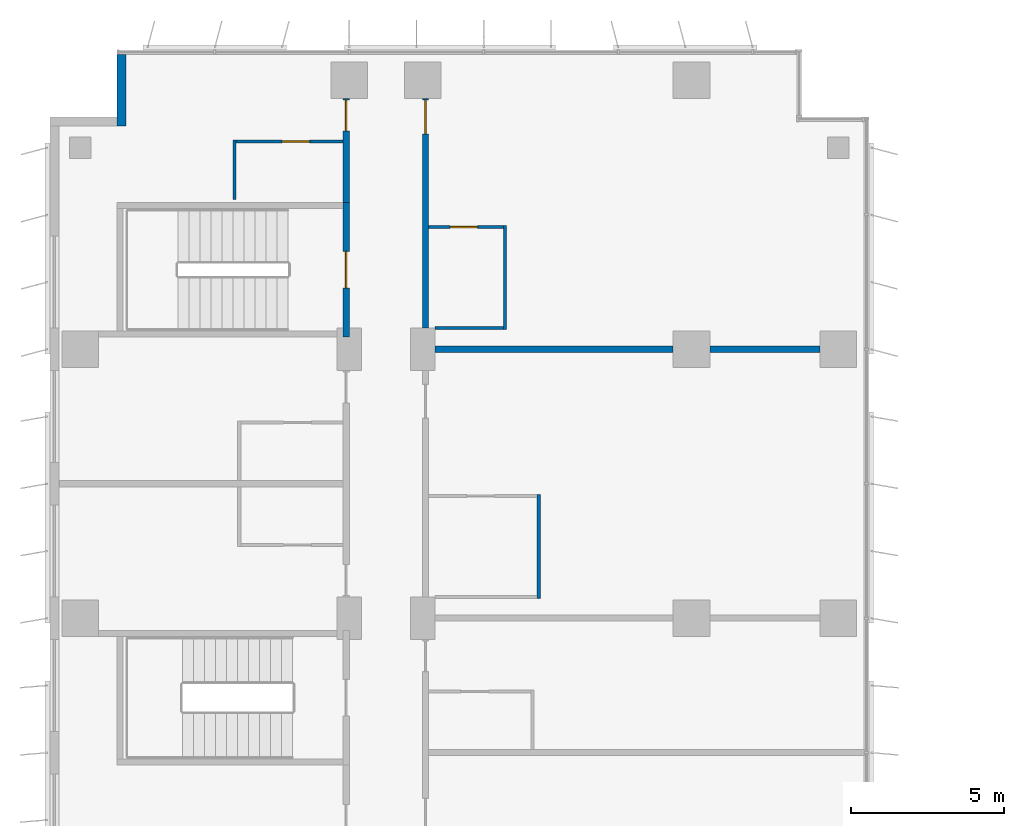
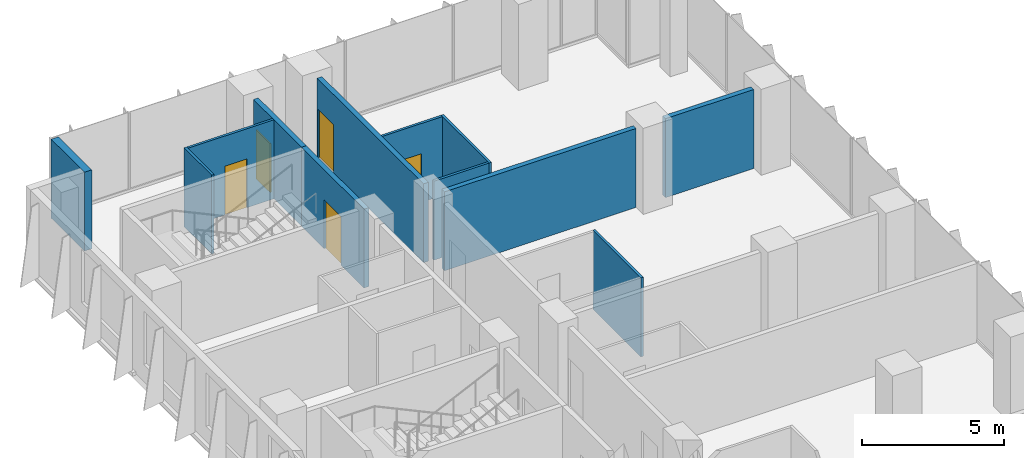
# One storey, part 17 of 22: 12 walls, 5 doors, 5 openings.
"""IFC4 building model written with IfcOpenShell, lengths in metres."""

from ifc_helpers import new_model, si_unit, direction, frame, frame_2d, origin, place, context, subcontext, project, spatial, rectangle, extrude, material, layer, layer_set, type_object, element, fill, save


model = new_model("IFC4")

# Units and contexts
model_context = context("Model", 3, precision=1e-05, world=origin(), true_north=direction((0.0, 1.0)))
body_context = subcontext(model_context, "Body", "Model", "MODEL_VIEW")
ifc_project = project(units=[si_unit("LENGTHUNIT", "METRE"), si_unit("AREAUNIT", "SQUARE_METRE"), si_unit("VOLUMEUNIT", "CUBIC_METRE"), si_unit("PLANEANGLEUNIT", "RADIAN"), si_unit("MASSUNIT", "GRAM", prefix="KILO")], contexts=[model_context])

# Site, building, storey
site_placement = place(None, origin())
site = spatial("IfcSite", under=ifc_project, at=site_placement, CompositionType="ELEMENT")
building_placement = place(site_placement, origin())
building = spatial("IfcBuilding", under=site, at=building_placement, Name="Kemantara Hotel Tower", CompositionType="ELEMENT")
storey_placement = place(building_placement, frame((0.0, 0.0, 107.39990234375)))
storey = spatial("IfcBuildingStorey", under=building, at=storey_placement, Name="L25", CompositionType="ELEMENT", Elevation=107.39990234375)

# Wall
ifc_material_1 = material(Name="Bronze anodised aluminium cladding on insulated steel stud wall", Category="steel")
ifc_layer_1 = layer(ifc_material_1, 0.300048828125)
ifc_layer_set_1 = layer_set([ifc_layer_1], Name="Bronze anodised aluminium cladding on insulated steel stud wall")
wall_type_1 = type_object("IfcWallType", Name="BRONZE METAL-CLAD EXTERNAL WALL 300", PredefinedType="STANDARD", material=ifc_layer_set_1)
wall_1_placement = place(storey_placement, frame((2.35009765625, 81.050048828125, 0.0), z_axis=(0.0, 0.0, 1.0), x_axis=(0.0, -1.0, 0.0)))
element("IfcWall", 1, at=wall_1_placement, inside=storey, type_object=wall_type_1, Name="EXTERNAL WALL L25 T2-R02", PredefinedType="STANDARD", context=body_context, shape_type="SweptSolid", body=[
    extrude(rectangle(XDim=2.35009765625, YDim=0.300048828125, at=frame_2d((1.175048828125, 0.0))), origin(), (0.0, 0.0, 1.0), 3.400146484375),
])

# Wall, opening, door
ifc_material_2 = material(Name="Gypsum board partition, steel studs and mineral wool, 200 mm", Category="steel")
ifc_layer_2 = layer(ifc_material_2, 0.199951171875)
ifc_layer_set_2 = layer_set([ifc_layer_2], Name="Gypsum board partition, steel studs and mineral wool, 200 mm")
wall_type_2 = type_object("IfcWallType", Name="CORRIDOR WALL 200", PredefinedType="PARTITIONING", material=ifc_layer_set_2)
wall_2_placement = place(storey_placement, frame((9.699951171875, 76.199951171875, 0.0), z_axis=(0.0, 0.0, 1.0), x_axis=(0.0, 1.0, 0.0)))
wall_2 = element("IfcWall", 2, at=wall_2_placement, inside=storey, type_object=wall_type_2, Name="CORRIDOR WALL 200 024", PredefinedType="PARTITIONING", context=body_context, shape_type="SweptSolid", body=[
    extrude(rectangle(XDim=3.39990234375, YDim=0.199951171875, at=frame_2d((1.699951171875, 0.0))), origin(), (0.0, 0.0, 1.0), 3.400146484375),
])
opening_1_placement = place(wall_2_placement, frame((2.35009765625, 0.0, 0.0)))
opening_1 = element("IfcOpeningElement", 3, at=opening_1_placement, cuts=wall_2, Name="Opening F11-035", PredefinedType="OPENING", context=body_context, shape_type="SweptSolid", body=[
    extrude(rectangle(XDim=1.0, YDim=2.10009765625, at=frame_2d((0.5, 1.050048828125))), frame((0.0, 0.10986328125, 0.0), z_axis=(0.0, -1.0, 0.0), x_axis=(1.0, 0.0, 0.0)), (0.0, 0.0, 1.0), 0.219970703125),
])
ifc_material_3 = material(Name="Hardwood veneer door leaf with steel frame", Category="steel")
door_type_1 = type_object("IfcDoorType", Name="GUEST ROOM DOOR 1000 X 2100 FD30S", OperationType="NOTDEFINED", PredefinedType="DOOR", material=ifc_material_3)
door_1_placement = place(opening_1_placement, origin())
door_1 = element("IfcDoor", 4, at=door_1_placement, inside=storey, type_object=door_type_1, Name="GUEST ROOM DOOR F11-035", OperationType="SINGLE_SWING_RIGHT", OverallHeight=2.10009765625, OverallWidth=1.0, PredefinedType="DOOR", context=body_context, shape_type="SweptSolid", body=[
    extrude(rectangle(XDim=1.0, YDim=2.10009765625, at=frame_2d((0.5, 1.050048828125))), frame((0.0, 0.02490234375, 0.0), z_axis=(0.0, -1.0, 0.0), x_axis=(1.0, 0.0, 0.0)), (0.0, 0.0, 1.0), 0.050048828125),
])
fill(opening_1, door_1)

wall_3_placement = place(storey_placement, frame((12.300048828125, 79.599853515625, 0.0), z_axis=(0.0, 0.0, 1.0), x_axis=(0.0, -1.0, 0.0)))
wall_3 = element("IfcWall", 5, at=wall_3_placement, inside=storey, type_object=wall_type_2, Name="CORRIDOR WALL 200 039", PredefinedType="PARTITIONING", context=body_context, shape_type="SweptSolid", body=[
    extrude(rectangle(XDim=7.499755859375, YDim=0.199951171875, at=frame_2d((3.75, 0.0))), origin(), (0.0, 0.0, 1.0), 3.400146484375),
])
opening_2_placement = place(wall_3_placement, frame((0.0498046875, 0.0, 0.0)))
opening_2 = element("IfcOpeningElement", 6, at=opening_2_placement, cuts=wall_3, Name="Opening F11-051", PredefinedType="OPENING", context=body_context, shape_type="SweptSolid", body=[
    extrude(rectangle(XDim=1.10009765625, YDim=2.10009765625, at=frame_2d((0.550048828125, 1.050048828125))), frame((0.0, 0.10986328125, 0.0), z_axis=(0.0, -1.0, 0.0), x_axis=(1.0, 0.0, 0.0)), (0.0, 0.0, 1.0), 0.219970703125),
])
door_type_2 = type_object("IfcDoorType", Name="SUITE ENTRANCE DOOR 1100 X 2100 FD30S", OperationType="NOTDEFINED", PredefinedType="DOOR", material=ifc_material_3)
door_2_placement = place(opening_2_placement, origin())
door_2 = element("IfcDoor", 7, at=door_2_placement, inside=storey, type_object=door_type_2, Name="SUITE ENTRANCE DOOR F11-051", OperationType="SINGLE_SWING_LEFT", OverallHeight=2.10009765625, OverallWidth=1.10009765625, PredefinedType="DOOR", context=body_context, shape_type="SweptSolid", body=[
    extrude(rectangle(XDim=1.10009765625, YDim=2.10009765625, at=frame_2d((0.550048828125, 1.050048828125))), frame((0.0, 0.02490234375, 0.0), z_axis=(0.0, -1.0, 0.0), x_axis=(1.0, 0.0, 0.0)), (0.0, 0.0, 1.0), 0.050048828125),
])
fill(opening_2, door_2)

ifc_material_4 = material(Name="Concrete fc 40 MPa", Category="concrete")
ifc_layer_3 = layer(ifc_material_4, 0.199951171875)
ifc_layer_set_3 = layer_set([ifc_layer_3], Name="Concrete fc 40 MPa")
wall_type_3 = type_object("IfcWallType", Name="Concrete stair wall 200 mm", PredefinedType="SHEAR", material=ifc_layer_set_3)
wall_4_placement = place(storey_placement, frame((9.699951171875, 71.800048828125, 0.0), z_axis=(0.0, 0.0, 1.0), x_axis=(0.0, 1.0, 0.0)))
wall_4 = element("IfcWall", 8, at=wall_4_placement, inside=storey, type_object=wall_type_3, Name="Stair ST6 enclosure wall with door", PredefinedType="SHEAR", context=body_context, shape_type="SweptSolid", body=[
    extrude(rectangle(XDim=4.39990234375, YDim=0.199951171875, at=frame_2d((2.199951171875, 0.0))), origin(), (0.0, 0.0, 1.0), 3.400146484375),
])
opening_3_placement = place(wall_4_placement, frame((1.60009765625, 0.0, 0.0)))
opening_3 = element("IfcOpeningElement", 9, at=opening_3_placement, cuts=wall_4, Name="Opening ST6-C", PredefinedType="OPENING", context=body_context, shape_type="SweptSolid", body=[
    extrude(rectangle(XDim=1.199951171875, YDim=2.10009765625, at=frame_2d((0.60009765625, 1.050048828125))), frame((0.0, 0.10986328125, 0.0), z_axis=(0.0, -1.0, 0.0), x_axis=(1.0, 0.0, 0.0)), (0.0, 0.0, 1.0), 0.219970703125),
])
ifc_material_5 = material(Name="Steel fire door", Category="steel")
door_type_3 = type_object("IfcDoorType", Name="Fire door FD90 1200 x 2100", OperationType="NOTDEFINED", PredefinedType="DOOR", material=ifc_material_5)
door_3_placement = place(opening_3_placement, origin())
door_3 = element("IfcDoor", 10, at=door_3_placement, inside=storey, type_object=door_type_3, Name="Stair ST6 door", OperationType="SINGLE_SWING_RIGHT", OverallHeight=2.10009765625, OverallWidth=1.199951171875, PredefinedType="DOOR", context=body_context, shape_type="SweptSolid", body=[
    extrude(rectangle(XDim=1.199951171875, YDim=2.10009765625, at=frame_2d((0.60009765625, 1.050048828125))), frame((0.0, 0.02490234375, 0.0), z_axis=(0.0, -1.0, 0.0), x_axis=(1.0, 0.0, 0.0)), (0.0, 0.0, 1.0), 0.050048828125),
])
fill(opening_3, door_3)

# Walls
ifc_layer_4 = layer(ifc_material_2, 0.199951171875)
ifc_layer_set_4 = layer_set([ifc_layer_4], Name="Gypsum board partition, steel studs and mineral wool, 200 mm")
wall_type_4 = type_object("IfcWallType", Name="GUEST ROOM PARTY WALL 200", PredefinedType="PARTITIONING", material=ifc_layer_set_4)
wall_5_placement = place(storey_placement, frame((12.60009765625, 71.39990234375, 0.0), z_axis=(0.0, 0.0, 1.0), x_axis=(1.0, 0.0, 0.0)))
element("IfcWall", 11, at=wall_5_placement, inside=storey, type_object=wall_type_4, Name="GUEST ROOM PARTY WALL 200 048", PredefinedType="PARTITIONING", context=body_context, shape_type="SweptSolid", body=[
    extrude(rectangle(XDim=7.7998046875, YDim=0.199951171875, at=frame_2d((3.89990234375, 0.0))), origin(), (0.0, 0.0, 1.0), 3.400146484375),
])
wall_6_placement = place(storey_placement, frame((21.60009765625, 71.39990234375, 0.0), z_axis=(0.0, 0.0, 1.0), x_axis=(1.0, 0.0, 0.0)))
element("IfcWall", 12, at=wall_6_placement, inside=storey, type_object=wall_type_4, Name="GUEST ROOM PARTY WALL 200 049", PredefinedType="PARTITIONING", context=body_context, shape_type="SweptSolid", body=[
    extrude(rectangle(XDim=3.599853515625, YDim=0.199951171875, at=frame_2d((1.7998046875, 0.0))), origin(), (0.0, 0.0, 1.0), 3.400146484375),
])
ifc_material_6 = material(Name="Gypsum board partition on steel studs, 100 mm", Category="steel")
ifc_layer_5 = layer(ifc_material_6, 0.10009765625)
ifc_layer_set_5 = layer_set([ifc_layer_5], Name="Gypsum board partition on steel studs, 100 mm")
wall_type_5 = type_object("IfcWallType", Name="ROOM PARTITION 100", PredefinedType="PARTITIONING", material=ifc_layer_set_5)
wall_7_placement = place(storey_placement, frame((6.050048828125, 76.300048828125, 0.0), z_axis=(0.0, 0.0, 1.0), x_axis=(0.0, 1.0, 0.0)))
element("IfcWall", 13, at=wall_7_placement, inside=storey, type_object=wall_type_5, Name="ROOM PARTITION 100 067", PredefinedType="PARTITIONING", context=body_context, shape_type="SweptSolid", body=[
    extrude(rectangle(XDim=1.949951171875, YDim=0.10009765625, at=frame_2d((0.97509765625, 0.0))), origin(), (0.0, 0.0, 1.0), 3.400146484375),
])

# Wall, opening, door
wall_8_placement = place(storey_placement, frame((9.60009765625, 78.199951171875, 0.0), z_axis=(0.0, 0.0, 1.0), x_axis=(-1.0, 0.0, 0.0)))
wall_8 = element("IfcWall", 14, at=wall_8_placement, inside=storey, type_object=wall_type_5, Name="ROOM PARTITION 100 087", PredefinedType="PARTITIONING", context=body_context, shape_type="SweptSolid", body=[
    extrude(rectangle(XDim=3.5, YDim=0.10009765625, at=frame_2d((1.75, 0.0))), origin(), (0.0, 0.0, 1.0), 3.400146484375),
])
opening_4_placement = place(wall_8_placement, frame((1.10009765625, 0.0, 0.0)))
opening_4 = element("IfcOpeningElement", 15, at=opening_4_placement, cuts=wall_8, Name="Opening F11-036", PredefinedType="OPENING", context=body_context, shape_type="SweptSolid", body=[
    extrude(rectangle(XDim=0.89990234375, YDim=2.10009765625, at=frame_2d((0.449951171875, 1.050048828125))), frame((0.0, 0.06005859375, 0.0), z_axis=(0.0, -1.0, 0.0), x_axis=(1.0, 0.0, 0.0)), (0.0, 0.0, 1.0), 0.1201171875),
])
door_type_4 = type_object("IfcDoorType", Name="BATHROOM DOOR 900 X 2100", OperationType="NOTDEFINED", PredefinedType="DOOR", material=ifc_material_3)
door_4_placement = place(opening_4_placement, origin())
door_4 = element("IfcDoor", 16, at=door_4_placement, inside=storey, type_object=door_type_4, Name="BATHROOM DOOR F11-036", OperationType="SINGLE_SWING_LEFT", OverallHeight=2.10009765625, OverallWidth=0.89990234375, PredefinedType="DOOR", context=body_context, shape_type="SweptSolid", body=[
    extrude(rectangle(XDim=0.89990234375, YDim=2.10009765625, at=frame_2d((0.449951171875, 1.050048828125))), frame((0.0, 0.02490234375, 0.0), z_axis=(0.0, -1.0, 0.0), x_axis=(1.0, 0.0, 0.0)), (0.0, 0.0, 1.0), 0.050048828125),
])
fill(opening_4, door_4)

# Walls
for number, where, z_axis, x_axis, name in (
    (17, (16.0, 63.25, 0.0), (0.0, 0.0, 1.0), (0.0, 1.0, 0.0), "ROOM PARTITION 100 091"),
    (18, (14.89990234375, 72.050048828125, 0.0), (0.0, 0.0, 1.0), (0.0, 1.0, 0.0), "ROOM PARTITION 100 102"),
):
    element("IfcWall", number, at=place(storey_placement, frame(where, z_axis=z_axis, x_axis=x_axis)), inside=storey, type_object=wall_type_5, Name=name, PredefinedType="PARTITIONING", context=body_context, shape_type="SweptSolid", body=[
        extrude(rectangle(XDim=3.39990234375, YDim=0.10009765625, at=frame_2d((1.699951171875, 0.0))), origin(), (0.0, 0.0, 1.0), 3.400146484375),
    ])
wall_9_placement = place(storey_placement, frame((12.60009765625, 72.10009765625, 0.0), z_axis=(0.0, 0.0, 1.0), x_axis=(1.0, 0.0, 0.0)))
element("IfcWall", 19, at=wall_9_placement, inside=storey, type_object=wall_type_5, Name="ROOM PARTITION 100 103", PredefinedType="PARTITIONING", context=body_context, shape_type="SweptSolid", body=[
    extrude(rectangle(XDim=2.25, YDim=0.10009765625, at=frame_2d((1.125, 0.0))), origin(), (0.0, 0.0, 1.0), 3.400146484375),
])

# Wall, opening, door
wall_10_placement = place(storey_placement, frame((14.85009765625, 75.39990234375, 0.0), z_axis=(0.0, 0.0, 1.0), x_axis=(-1.0, 0.0, 0.0)))
wall_10 = element("IfcWall", 20, at=wall_10_placement, inside=storey, type_object=wall_type_5, Name="ROOM PARTITION 100 104", PredefinedType="PARTITIONING", context=body_context, shape_type="SweptSolid", body=[
    extrude(rectangle(XDim=2.4501953125, YDim=0.10009765625, at=frame_2d((1.22509765625, 0.0))), origin(), (0.0, 0.0, 1.0), 3.400146484375),
])
opening_5_placement = place(wall_10_placement, frame((0.85009765625, 0.0, 0.0)))
opening_5 = element("IfcOpeningElement", 21, at=opening_5_placement, cuts=wall_10, Name="Opening F11-052", PredefinedType="OPENING", context=body_context, shape_type="SweptSolid", body=[
    extrude(rectangle(XDim=0.89990234375, YDim=2.10009765625, at=frame_2d((0.449951171875, 1.050048828125))), frame((0.0, 0.06005859375, 0.0), z_axis=(0.0, -1.0, 0.0), x_axis=(1.0, 0.0, 0.0)), (0.0, 0.0, 1.0), 0.1201171875),
])
door_5_placement = place(opening_5_placement, origin())
door_5 = element("IfcDoor", 22, at=door_5_placement, inside=storey, type_object=door_type_4, Name="BATHROOM DOOR F11-052", OperationType="SINGLE_SWING_RIGHT", OverallHeight=2.10009765625, OverallWidth=0.89990234375, PredefinedType="DOOR", context=body_context, shape_type="SweptSolid", body=[
    extrude(rectangle(XDim=0.89990234375, YDim=2.10009765625, at=frame_2d((0.449951171875, 1.050048828125))), frame((0.0, 0.02490234375, 0.0), z_axis=(0.0, -1.0, 0.0), x_axis=(1.0, 0.0, 0.0)), (0.0, 0.0, 1.0), 0.050048828125),
])
fill(opening_5, door_5)

save(model, "model.ifc")
